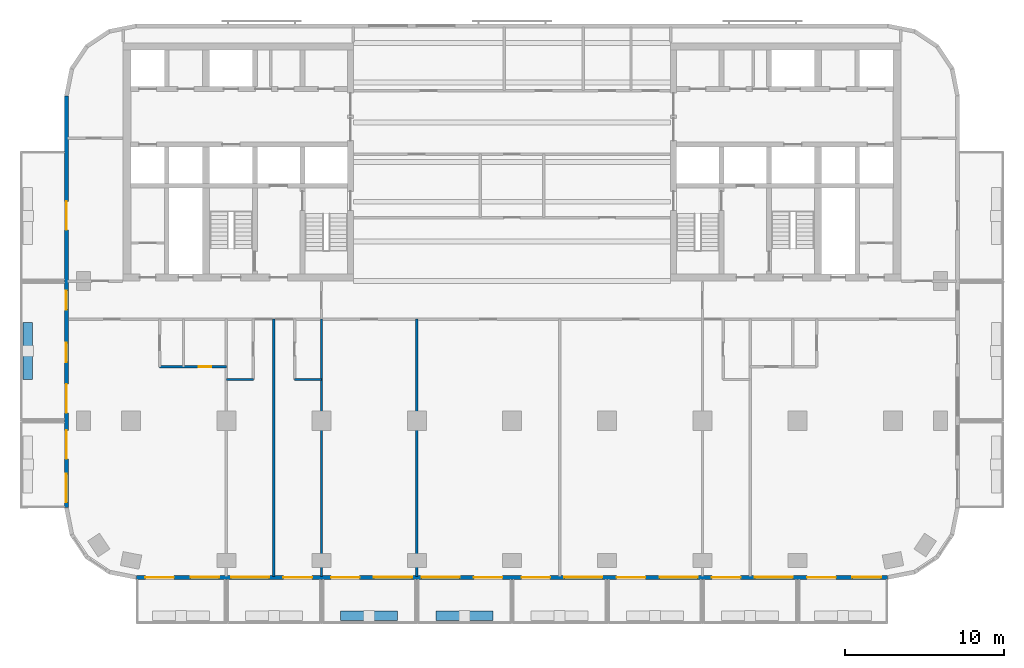
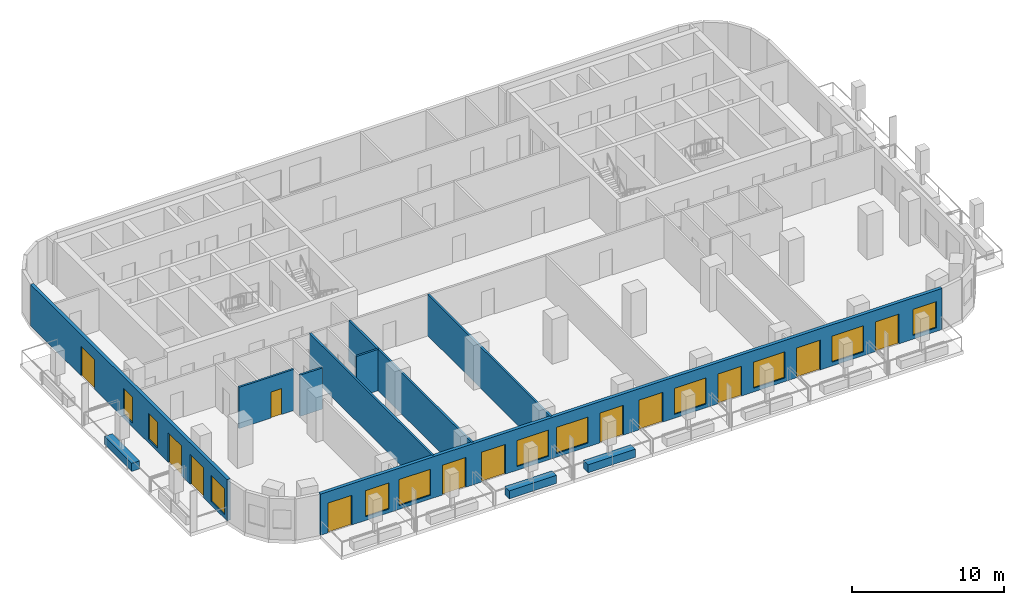
# One storey, part 2 of 11: 12 doors, 11 walls, 11 windows, 23 openings.
"""IFC4 building model written with IfcOpenShell, lengths in metres."""

from ifc_helpers import new_model, si_unit, direction, frame, frame_2d, origin, place, context, subcontext, project, spatial, rectangle, extrude, material, layer, layer_set, type_object, element, fill, save


model = new_model("IFC4")

# Units and contexts
model_context = context("Model", 3, precision=1e-05, world=origin(), true_north=direction((0.0, 1.0)))
body_context = subcontext(model_context, "Body", "Model", "MODEL_VIEW")
ifc_project = project(units=[si_unit("LENGTHUNIT", "METRE"), si_unit("AREAUNIT", "SQUARE_METRE"), si_unit("VOLUMEUNIT", "CUBIC_METRE"), si_unit("PLANEANGLEUNIT", "RADIAN"), si_unit("MASSUNIT", "GRAM", prefix="KILO")], contexts=[model_context])

# Site, building, storey
site_placement = place(None, origin())
site = spatial("IfcSite", under=ifc_project, at=site_placement, CompositionType="ELEMENT")
building_placement = place(site_placement, origin())
building = spatial("IfcBuilding", under=site, at=building_placement, Name="Torana Hotel and Residences", CompositionType="ELEMENT")
storey_placement = place(building_placement, frame((0.0, 0.0, 138.0)))
storey = spatial("IfcBuildingStorey", under=building, at=storey_placement, Name="L35", CompositionType="ELEMENT", Elevation=138.0)

# Wall, openings, doors, windows
ifc_material_1 = material(Name="Black aluminium composite panel", Category="aluminium")
ifc_layer_1 = layer(ifc_material_1, 0.00390625, Name="Cladding", Category="cladding")
ifc_material_2 = material(Name="Ventilated air cavity")
ifc_layer_2 = layer(ifc_material_2, 0.0400390625, Name="Ventilated cavity", Category="cavity")
ifc_material_3 = material(Name="Mineral wool insulation")
ifc_layer_3 = layer(ifc_material_3, 0.090087890625, Name="Insulation", Category="insulation")
ifc_material_4 = material(Name="Steel S280GD", Category="steel")
ifc_layer_4 = layer(ifc_material_4, 0.092041015625, Name="Steel stud frame", Category="structure")
ifc_material_5 = material(Name="Fire rated plasterboard")
ifc_layer_5 = layer(ifc_material_5, 0.011962890625, Name="Inner board", Category="finish")
ifc_layer_6 = layer(ifc_material_5, 0.011962890625, Name="Second board", Category="finish")
ifc_layer_set_1 = layer_set([ifc_layer_1, ifc_layer_2, ifc_layer_3, ifc_layer_4, ifc_layer_5, ifc_layer_6], Name="EW1 EXTERNAL WALL BLACK METAL CLAD 250")
wall_type_1 = type_object("IfcWallType", Name="EW1 EXTERNAL WALL BLACK METAL CLAD 250", PredefinedType="SOLIDWALL", material=ifc_layer_set_1)
wall_1_placement = place(storey_placement, frame((-28.074951171875, -3.32470703125, 0.0), z_axis=(0.0, 0.0, 1.0), x_axis=(0.0, -1.0, 0.0)))
wall_1 = element("IfcWall", 1, at=wall_1_placement, inside=storey, type_object=wall_type_1, Name="External wall L35 e0.9", PredefinedType="SOLIDWALL", context=body_context, shape_type="SweptSolid", body=[
    extrude(rectangle(XDim=25.95068359375, YDim=0.25, at=frame_2d((12.975341796875, 0.0))), origin(), (0.0, 0.0, 1.0), 3.320068359375),
])
opening_1_placement = place(wall_1_placement, frame((6.650390625, 0.0, 0.0)))
opening_1 = element("IfcOpeningElement", 2, at=opening_1_placement, cuts=wall_1, Name="Opening L35-E12", PredefinedType="OPENING", context=body_context, shape_type="SweptSolid", body=[
    extrude(rectangle(XDim=1.800048828125, YDim=2.39990234375, at=frame_2d((0.89990234375, 1.199951171875))), frame((0.0, 0.135009765625, 0.0), z_axis=(0.0, -1.0, 0.0), x_axis=(1.0, 0.0, 0.0)), (0.0, 0.0, 1.0), 0.27001953125),
])
opening_2_placement = place(wall_1_placement, frame((12.275390625, 0.0, 0.300048828125)))
opening_2 = element("IfcOpeningElement", 3, at=opening_2_placement, cuts=wall_1, Name="Opening W7", PredefinedType="OPENING", context=body_context, shape_type="SweptSolid", body=[
    extrude(rectangle(XDim=1.199951171875, YDim=2.10009765625, at=frame_2d((0.60009765625, 1.050048828125))), frame((0.0, 0.135009765625, 0.0), z_axis=(0.0, -1.0, 0.0), x_axis=(1.0, 0.0, 0.0)), (0.0, 0.0, 1.0), 0.27001953125),
])
opening_3_placement = place(wall_1_placement, frame((15.575439453125, 0.0, 0.300048828125)))
opening_3 = element("IfcOpeningElement", 4, at=opening_3_placement, cuts=wall_1, Name="Opening W7", PredefinedType="OPENING", context=body_context, shape_type="SweptSolid", body=[
    extrude(rectangle(XDim=1.199951171875, YDim=2.10009765625, at=frame_2d((0.60009765625, 1.050048828125))), frame((0.0, 0.135009765625, 0.0), z_axis=(0.0, -1.0, 0.0), x_axis=(1.0, 0.0, 0.0)), (0.0, 0.0, 1.0), 0.27001953125),
])
opening_4_placement = place(wall_1_placement, frame((18.17529296875, 0.0, 0.0)))
opening_4 = element("IfcOpeningElement", 5, at=opening_4_placement, cuts=wall_1, Name="Opening L35-E13", PredefinedType="OPENING", context=body_context, shape_type="SweptSolid", body=[
    extrude(rectangle(XDim=1.800048828125, YDim=2.39990234375, at=frame_2d((0.89990234375, 1.199951171875))), frame((0.0, 0.135009765625, 0.0), z_axis=(0.0, -1.0, 0.0), x_axis=(1.0, 0.0, 0.0)), (0.0, 0.0, 1.0), 0.27001953125),
])
opening_5_placement = place(wall_1_placement, frame((21.075439453125, 0.0, 0.0)))
opening_5 = element("IfcOpeningElement", 6, at=opening_5_placement, cuts=wall_1, Name="Opening L35-E14", PredefinedType="OPENING", context=body_context, shape_type="SweptSolid", body=[
    extrude(rectangle(XDim=1.800048828125, YDim=2.39990234375, at=frame_2d((0.89990234375, 1.199951171875))), frame((0.0, 0.135009765625, 0.0), z_axis=(0.0, -1.0, 0.0), x_axis=(1.0, 0.0, 0.0)), (0.0, 0.0, 1.0), 0.27001953125),
])
opening_6_placement = place(wall_1_placement, frame((23.825439453125, 0.0, 0.300048828125)))
opening_6 = element("IfcOpeningElement", 7, at=opening_6_placement, cuts=wall_1, Name="Opening W2", PredefinedType="OPENING", context=body_context, shape_type="SweptSolid", body=[
    extrude(rectangle(XDim=1.800048828125, YDim=2.10009765625, at=frame_2d((0.89990234375, 1.050048828125))), frame((0.0, 0.135009765625, 0.0), z_axis=(0.0, -1.0, 0.0), x_axis=(1.0, 0.0, 0.0)), (0.0, 0.0, 1.0), 0.27001953125),
])
ifc_material_6 = material(Name="Dark glass in black aluminium frame", Category="aluminium")
door_type_1 = type_object("IfcDoorType", Name="DB1 BALCONY DOOR 1800x2400", OperationType="DOUBLE_DOOR_SINGLE_SWING", PredefinedType="DOOR", material=ifc_material_6)
door_1_placement = place(opening_1_placement, origin())
door_1 = element("IfcDoor", 8, at=door_1_placement, inside=storey, type_object=door_type_1, Name="Balcony door L35", OperationType="DOUBLE_DOOR_SINGLE_SWING", OverallHeight=2.39990234375, OverallWidth=1.800048828125, PredefinedType="DOOR", context=body_context, shape_type="SweptSolid", body=[
    extrude(rectangle(XDim=1.800048828125, YDim=2.39990234375, at=frame_2d((0.89990234375, 1.199951171875))), frame((0.0, 0.02490234375, 0.0), z_axis=(0.0, -1.0, 0.0), x_axis=(1.0, 0.0, 0.0)), (0.0, 0.0, 1.0), 0.050048828125),
])
fill(opening_1, door_1)
door_2_placement = place(opening_4_placement, frame((0.89990234375, 0.0, 0.0), z_axis=(0.0, 0.0, 1.0), x_axis=(-1.0, 0.0, 0.0)))
door_2 = element("IfcDoor", 9, at=door_2_placement, inside=storey, type_object=door_type_1, Name="Balcony door L35", OperationType="DOUBLE_DOOR_SINGLE_SWING", OverallHeight=2.39990234375, OverallWidth=1.800048828125, PredefinedType="DOOR", context=body_context, shape_type="SweptSolid", body=[
    extrude(rectangle(XDim=1.800048828125, YDim=2.39990234375, at=frame_2d((0.0, 1.199951171875))), frame((0.0, -0.02490234375, 0.0), z_axis=(0.0, 1.0, 0.0), x_axis=(-1.0, 0.0, 0.0)), (0.0, 0.0, 1.0), 0.050048828125),
])
fill(opening_4, door_2)
door_3_placement = place(opening_5_placement, origin())
door_3 = element("IfcDoor", 10, at=door_3_placement, inside=storey, type_object=door_type_1, Name="Balcony door L35", OperationType="DOUBLE_DOOR_SINGLE_SWING", OverallHeight=2.39990234375, OverallWidth=1.800048828125, PredefinedType="DOOR", context=body_context, shape_type="SweptSolid", body=[
    extrude(rectangle(XDim=1.800048828125, YDim=2.39990234375, at=frame_2d((0.89990234375, 1.199951171875))), frame((0.0, 0.02490234375, 0.0), z_axis=(0.0, -1.0, 0.0), x_axis=(1.0, 0.0, 0.0)), (0.0, 0.0, 1.0), 0.050048828125),
])
fill(opening_5, door_3)
ifc_material_7 = material(Name="Dark glass in black aluminium frame", Category="aluminium")
window_type_1 = type_object("IfcWindowType", Name="W2 HOTEL ROOM WINDOW NARROW 1800x2100", PartitioningType="SINGLE_PANEL", PredefinedType="WINDOW", material=ifc_material_7)
window_1_placement = place(opening_6_placement, origin())
window_1 = element("IfcWindow", 11, at=window_1_placement, inside=storey, type_object=window_type_1, Name="Window L35", OverallHeight=2.10009765625, OverallWidth=1.800048828125, PartitioningType="SINGLE_PANEL", PredefinedType="WINDOW", context=body_context, shape_type="SweptSolid", body=[
    extrude(rectangle(XDim=1.800048828125, YDim=2.10009765625, at=frame_2d((0.89990234375, 1.050048828125))), frame((0.0, 0.030029296875, 0.0), z_axis=(0.0, -1.0, 0.0), x_axis=(1.0, 0.0, 0.0)), (0.0, 0.0, 1.0), 0.06005859375),
])
fill(opening_6, window_1)
ifc_material_8 = material(Name="Dark glass in black aluminium frame", Category="aluminium")
window_type_2 = type_object("IfcWindowType", Name="W7 HOTEL CORRIDOR WINDOW 1200x2100", PartitioningType="SINGLE_PANEL", PredefinedType="WINDOW", material=ifc_material_8)
window_2_placement = place(opening_2_placement, origin())
window_2 = element("IfcWindow", 12, at=window_2_placement, inside=storey, type_object=window_type_2, Name="Window L35", OverallHeight=2.10009765625, OverallWidth=1.199951171875, PartitioningType="SINGLE_PANEL", PredefinedType="WINDOW", context=body_context, shape_type="SweptSolid", body=[
    extrude(rectangle(XDim=1.199951171875, YDim=2.10009765625, at=frame_2d((0.60009765625, 1.050048828125))), frame((0.0, 0.030029296875, 0.0), z_axis=(0.0, -1.0, 0.0), x_axis=(1.0, 0.0, 0.0)), (0.0, 0.0, 1.0), 0.06005859375),
])
fill(opening_2, window_2)
window_3_placement = place(opening_3_placement, origin())
window_3 = element("IfcWindow", 13, at=window_3_placement, inside=storey, type_object=window_type_2, Name="Window L35", OverallHeight=2.10009765625, OverallWidth=1.199951171875, PartitioningType="SINGLE_PANEL", PredefinedType="WINDOW", context=body_context, shape_type="SweptSolid", body=[
    extrude(rectangle(XDim=1.199951171875, YDim=2.10009765625, at=frame_2d((0.60009765625, 1.050048828125))), frame((0.0, 0.030029296875, 0.0), z_axis=(0.0, -1.0, 0.0), x_axis=(1.0, 0.0, 0.0)), (0.0, 0.0, 1.0), 0.06005859375),
])
fill(opening_3, window_3)

wall_2_placement = place(storey_placement, frame((-23.67529296875, -33.675048828125, 0.0), z_axis=(0.0, 0.0, 1.0), x_axis=(1.0, 0.0, 0.0)))
wall_2 = element("IfcWall", 14, at=wall_2_placement, inside=storey, type_object=wall_type_1, Name="External wall L35 e0.14", PredefinedType="SOLIDWALL", context=body_context, shape_type="SweptSolid", body=[
    extrude(rectangle(XDim=47.3505859375, YDim=0.25, at=frame_2d((23.67529296875, 0.0))), origin(), (0.0, 0.0, 1.0), 3.320068359375),
])
opening_7_placement = place(wall_2_placement, frame((0.575439453125, 0.0, 0.0)))
opening_7 = element("IfcOpeningElement", 15, at=opening_7_placement, cuts=wall_2, Name="Opening L35-E01", PredefinedType="OPENING", context=body_context, shape_type="SweptSolid", body=[
    extrude(rectangle(XDim=1.800048828125, YDim=2.39990234375, at=frame_2d((0.89990234375, 1.199951171875))), frame((0.0, 0.135009765625, 0.0), z_axis=(0.0, -1.0, 0.0), x_axis=(1.0, 0.0, 0.0)), (0.0, 0.0, 1.0), 0.27001953125),
])
opening_8_placement = place(wall_2_placement, frame((3.42529296875, 0.0, 0.300048828125)))
opening_8 = element("IfcOpeningElement", 16, at=opening_8_placement, cuts=wall_2, Name="Opening W2", PredefinedType="OPENING", context=body_context, shape_type="SweptSolid", body=[
    extrude(rectangle(XDim=1.800048828125, YDim=2.10009765625, at=frame_2d((0.89990234375, 1.050048828125))), frame((0.0, 0.135009765625, 0.0), z_axis=(0.0, -1.0, 0.0), x_axis=(1.0, 0.0, 0.0)), (0.0, 0.0, 1.0), 0.27001953125),
])
opening_9_placement = place(wall_2_placement, frame((5.975341796875, 0.0, 0.300048828125)))
opening_9 = element("IfcOpeningElement", 17, at=opening_9_placement, cuts=wall_2, Name="Opening W1", PredefinedType="OPENING", context=body_context, shape_type="SweptSolid", body=[
    extrude(rectangle(XDim=2.39990234375, YDim=2.10009765625, at=frame_2d((1.199951171875, 1.050048828125))), frame((0.0, 0.135009765625, 0.0), z_axis=(0.0, -1.0, 0.0), x_axis=(1.0, 0.0, 0.0)), (0.0, 0.0, 1.0), 0.27001953125),
])
opening_10_placement = place(wall_2_placement, frame((9.275390625, 0.0, 0.0)))
opening_10 = element("IfcOpeningElement", 18, at=opening_10_placement, cuts=wall_2, Name="Opening L35-E02", PredefinedType="OPENING", context=body_context, shape_type="SweptSolid", body=[
    extrude(rectangle(XDim=1.800048828125, YDim=2.39990234375, at=frame_2d((0.89990234375, 1.199951171875))), frame((0.0, 0.135009765625, 0.0), z_axis=(0.0, -1.0, 0.0), x_axis=(1.0, 0.0, 0.0)), (0.0, 0.0, 1.0), 0.27001953125),
])
opening_11_placement = place(wall_2_placement, frame((12.275390625, 0.0, 0.0)))
opening_11 = element("IfcOpeningElement", 19, at=opening_11_placement, cuts=wall_2, Name="Opening L35-E03", PredefinedType="OPENING", context=body_context, shape_type="SweptSolid", body=[
    extrude(rectangle(XDim=1.800048828125, YDim=2.39990234375, at=frame_2d((0.89990234375, 1.199951171875))), frame((0.0, 0.135009765625, 0.0), z_axis=(0.0, -1.0, 0.0), x_axis=(1.0, 0.0, 0.0)), (0.0, 0.0, 1.0), 0.27001953125),
])
opening_12_placement = place(wall_2_placement, frame((14.975341796875, 0.0, 0.300048828125)))
opening_12 = element("IfcOpeningElement", 20, at=opening_12_placement, cuts=wall_2, Name="Opening W1", PredefinedType="OPENING", context=body_context, shape_type="SweptSolid", body=[
    extrude(rectangle(XDim=2.39990234375, YDim=2.10009765625, at=frame_2d((1.199951171875, 1.050048828125))), frame((0.0, 0.135009765625, 0.0), z_axis=(0.0, -1.0, 0.0), x_axis=(1.0, 0.0, 0.0)), (0.0, 0.0, 1.0), 0.27001953125),
])
opening_13_placement = place(wall_2_placement, frame((17.975341796875, 0.0, 0.300048828125)))
opening_13 = element("IfcOpeningElement", 21, at=opening_13_placement, cuts=wall_2, Name="Opening W1", PredefinedType="OPENING", context=body_context, shape_type="SweptSolid", body=[
    extrude(rectangle(XDim=2.39990234375, YDim=2.10009765625, at=frame_2d((1.199951171875, 1.050048828125))), frame((0.0, 0.135009765625, 0.0), z_axis=(0.0, -1.0, 0.0), x_axis=(1.0, 0.0, 0.0)), (0.0, 0.0, 1.0), 0.27001953125),
])
opening_14_placement = place(wall_2_placement, frame((21.275390625, 0.0, 0.0)))
opening_14 = element("IfcOpeningElement", 22, at=opening_14_placement, cuts=wall_2, Name="Opening L35-E04", PredefinedType="OPENING", context=body_context, shape_type="SweptSolid", body=[
    extrude(rectangle(XDim=1.800048828125, YDim=2.39990234375, at=frame_2d((0.89990234375, 1.199951171875))), frame((0.0, 0.135009765625, 0.0), z_axis=(0.0, -1.0, 0.0), x_axis=(1.0, 0.0, 0.0)), (0.0, 0.0, 1.0), 0.27001953125),
])
opening_15_placement = place(wall_2_placement, frame((24.275390625, 0.0, 0.0)))
opening_15 = element("IfcOpeningElement", 23, at=opening_15_placement, cuts=wall_2, Name="Opening L35-E05", PredefinedType="OPENING", context=body_context, shape_type="SweptSolid", body=[
    extrude(rectangle(XDim=1.800048828125, YDim=2.39990234375, at=frame_2d((0.89990234375, 1.199951171875))), frame((0.0, 0.135009765625, 0.0), z_axis=(0.0, -1.0, 0.0), x_axis=(1.0, 0.0, 0.0)), (0.0, 0.0, 1.0), 0.27001953125),
])
opening_16_placement = place(wall_2_placement, frame((26.975341796875, 0.0, 0.300048828125)))
opening_16 = element("IfcOpeningElement", 24, at=opening_16_placement, cuts=wall_2, Name="Opening W1", PredefinedType="OPENING", context=body_context, shape_type="SweptSolid", body=[
    extrude(rectangle(XDim=2.39990234375, YDim=2.10009765625, at=frame_2d((1.199951171875, 1.050048828125))), frame((0.0, 0.135009765625, 0.0), z_axis=(0.0, -1.0, 0.0), x_axis=(1.0, 0.0, 0.0)), (0.0, 0.0, 1.0), 0.27001953125),
])
opening_17_placement = place(wall_2_placement, frame((30.275390625, 0.0, 0.0)))
opening_17 = element("IfcOpeningElement", 25, at=opening_17_placement, cuts=wall_2, Name="Opening L35-E06", PredefinedType="OPENING", context=body_context, shape_type="SweptSolid", body=[
    extrude(rectangle(XDim=1.800048828125, YDim=2.39990234375, at=frame_2d((0.89990234375, 1.199951171875))), frame((0.0, 0.135009765625, 0.0), z_axis=(0.0, -1.0, 0.0), x_axis=(1.0, 0.0, 0.0)), (0.0, 0.0, 1.0), 0.27001953125),
])
opening_18_placement = place(wall_2_placement, frame((32.975341796875, 0.0, 0.300048828125)))
opening_18 = element("IfcOpeningElement", 26, at=opening_18_placement, cuts=wall_2, Name="Opening W1", PredefinedType="OPENING", context=body_context, shape_type="SweptSolid", body=[
    extrude(rectangle(XDim=2.39990234375, YDim=2.10009765625, at=frame_2d((1.199951171875, 1.050048828125))), frame((0.0, 0.135009765625, 0.0), z_axis=(0.0, -1.0, 0.0), x_axis=(1.0, 0.0, 0.0)), (0.0, 0.0, 1.0), 0.27001953125),
])
opening_19_placement = place(wall_2_placement, frame((36.275390625, 0.0, 0.0)))
opening_19 = element("IfcOpeningElement", 27, at=opening_19_placement, cuts=wall_2, Name="Opening L35-E07", PredefinedType="OPENING", context=body_context, shape_type="SweptSolid", body=[
    extrude(rectangle(XDim=1.800048828125, YDim=2.39990234375, at=frame_2d((0.89990234375, 1.199951171875))), frame((0.0, 0.135009765625, 0.0), z_axis=(0.0, -1.0, 0.0), x_axis=(1.0, 0.0, 0.0)), (0.0, 0.0, 1.0), 0.27001953125),
])
opening_20_placement = place(wall_2_placement, frame((38.975341796875, 0.0, 0.300048828125)))
opening_20 = element("IfcOpeningElement", 28, at=opening_20_placement, cuts=wall_2, Name="Opening W1", PredefinedType="OPENING", context=body_context, shape_type="SweptSolid", body=[
    extrude(rectangle(XDim=2.39990234375, YDim=2.10009765625, at=frame_2d((1.199951171875, 1.050048828125))), frame((0.0, 0.135009765625, 0.0), z_axis=(0.0, -1.0, 0.0), x_axis=(1.0, 0.0, 0.0)), (0.0, 0.0, 1.0), 0.27001953125),
])
opening_21_placement = place(wall_2_placement, frame((42.275390625, 0.0, 0.0)))
opening_21 = element("IfcOpeningElement", 29, at=opening_21_placement, cuts=wall_2, Name="Opening L35-E08", PredefinedType="OPENING", context=body_context, shape_type="SweptSolid", body=[
    extrude(rectangle(XDim=1.800048828125, YDim=2.39990234375, at=frame_2d((0.89990234375, 1.199951171875))), frame((0.0, 0.135009765625, 0.0), z_axis=(0.0, -1.0, 0.0), x_axis=(1.0, 0.0, 0.0)), (0.0, 0.0, 1.0), 0.27001953125),
])
opening_22_placement = place(wall_2_placement, frame((45.12548828125, 0.0, 0.300048828125)))
opening_22 = element("IfcOpeningElement", 30, at=opening_22_placement, cuts=wall_2, Name="Opening W2", PredefinedType="OPENING", context=body_context, shape_type="SweptSolid", body=[
    extrude(rectangle(XDim=1.800048828125, YDim=2.10009765625, at=frame_2d((0.89990234375, 1.050048828125))), frame((0.0, 0.135009765625, 0.0), z_axis=(0.0, -1.0, 0.0), x_axis=(1.0, 0.0, 0.0)), (0.0, 0.0, 1.0), 0.27001953125),
])
door_4_placement = place(opening_7_placement, origin())
door_4 = element("IfcDoor", 31, at=door_4_placement, inside=storey, type_object=door_type_1, Name="Balcony door L35", OperationType="DOUBLE_DOOR_SINGLE_SWING", OverallHeight=2.39990234375, OverallWidth=1.800048828125, PredefinedType="DOOR", context=body_context, shape_type="SweptSolid", body=[
    extrude(rectangle(XDim=1.800048828125, YDim=2.39990234375, at=frame_2d((0.89990234375, 1.199951171875))), frame((0.0, 0.02490234375, 0.0), z_axis=(0.0, -1.0, 0.0), x_axis=(1.0, 0.0, 0.0)), (0.0, 0.0, 1.0), 0.050048828125),
])
fill(opening_7, door_4)
door_5_placement = place(opening_10_placement, origin())
door_5 = element("IfcDoor", 32, at=door_5_placement, inside=storey, type_object=door_type_1, Name="Balcony door L35", OperationType="DOUBLE_DOOR_SINGLE_SWING", OverallHeight=2.39990234375, OverallWidth=1.800048828125, PredefinedType="DOOR", context=body_context, shape_type="SweptSolid", body=[
    extrude(rectangle(XDim=1.800048828125, YDim=2.39990234375, at=frame_2d((0.89990234375, 1.199951171875))), frame((0.0, 0.02490234375, 0.0), z_axis=(0.0, -1.0, 0.0), x_axis=(1.0, 0.0, 0.0)), (0.0, 0.0, 1.0), 0.050048828125),
])
fill(opening_10, door_5)
door_6_placement = place(opening_11_placement, origin())
door_6 = element("IfcDoor", 33, at=door_6_placement, inside=storey, type_object=door_type_1, Name="Balcony door L35", OperationType="DOUBLE_DOOR_SINGLE_SWING", OverallHeight=2.39990234375, OverallWidth=1.800048828125, PredefinedType="DOOR", context=body_context, shape_type="SweptSolid", body=[
    extrude(rectangle(XDim=1.800048828125, YDim=2.39990234375, at=frame_2d((0.89990234375, 1.199951171875))), frame((0.0, 0.02490234375, 0.0), z_axis=(0.0, -1.0, 0.0), x_axis=(1.0, 0.0, 0.0)), (0.0, 0.0, 1.0), 0.050048828125),
])
fill(opening_11, door_6)
door_7_placement = place(opening_14_placement, origin())
door_7 = element("IfcDoor", 34, at=door_7_placement, inside=storey, type_object=door_type_1, Name="Balcony door L35", OperationType="DOUBLE_DOOR_SINGLE_SWING", OverallHeight=2.39990234375, OverallWidth=1.800048828125, PredefinedType="DOOR", context=body_context, shape_type="SweptSolid", body=[
    extrude(rectangle(XDim=1.800048828125, YDim=2.39990234375, at=frame_2d((0.89990234375, 1.199951171875))), frame((0.0, 0.02490234375, 0.0), z_axis=(0.0, -1.0, 0.0), x_axis=(1.0, 0.0, 0.0)), (0.0, 0.0, 1.0), 0.050048828125),
])
fill(opening_14, door_7)
door_8_placement = place(opening_15_placement, origin())
door_8 = element("IfcDoor", 35, at=door_8_placement, inside=storey, type_object=door_type_1, Name="Balcony door L35", OperationType="DOUBLE_DOOR_SINGLE_SWING", OverallHeight=2.39990234375, OverallWidth=1.800048828125, PredefinedType="DOOR", context=body_context, shape_type="SweptSolid", body=[
    extrude(rectangle(XDim=1.800048828125, YDim=2.39990234375, at=frame_2d((0.89990234375, 1.199951171875))), frame((0.0, 0.02490234375, 0.0), z_axis=(0.0, -1.0, 0.0), x_axis=(1.0, 0.0, 0.0)), (0.0, 0.0, 1.0), 0.050048828125),
])
fill(opening_15, door_8)
door_9_placement = place(opening_17_placement, origin())
door_9 = element("IfcDoor", 36, at=door_9_placement, inside=storey, type_object=door_type_1, Name="Balcony door L35", OperationType="DOUBLE_DOOR_SINGLE_SWING", OverallHeight=2.39990234375, OverallWidth=1.800048828125, PredefinedType="DOOR", context=body_context, shape_type="SweptSolid", body=[
    extrude(rectangle(XDim=1.800048828125, YDim=2.39990234375, at=frame_2d((0.89990234375, 1.199951171875))), frame((0.0, 0.02490234375, 0.0), z_axis=(0.0, -1.0, 0.0), x_axis=(1.0, 0.0, 0.0)), (0.0, 0.0, 1.0), 0.050048828125),
])
fill(opening_17, door_9)
door_10_placement = place(opening_19_placement, origin())
door_10 = element("IfcDoor", 37, at=door_10_placement, inside=storey, type_object=door_type_1, Name="Balcony door L35", OperationType="DOUBLE_DOOR_SINGLE_SWING", OverallHeight=2.39990234375, OverallWidth=1.800048828125, PredefinedType="DOOR", context=body_context, shape_type="SweptSolid", body=[
    extrude(rectangle(XDim=1.800048828125, YDim=2.39990234375, at=frame_2d((0.89990234375, 1.199951171875))), frame((0.0, 0.02490234375, 0.0), z_axis=(0.0, -1.0, 0.0), x_axis=(1.0, 0.0, 0.0)), (0.0, 0.0, 1.0), 0.050048828125),
])
fill(opening_19, door_10)
door_11_placement = place(opening_21_placement, origin())
door_11 = element("IfcDoor", 38, at=door_11_placement, inside=storey, type_object=door_type_1, Name="Balcony door L35", OperationType="DOUBLE_DOOR_SINGLE_SWING", OverallHeight=2.39990234375, OverallWidth=1.800048828125, PredefinedType="DOOR", context=body_context, shape_type="SweptSolid", body=[
    extrude(rectangle(XDim=1.800048828125, YDim=2.39990234375, at=frame_2d((0.89990234375, 1.199951171875))), frame((0.0, 0.02490234375, 0.0), z_axis=(0.0, -1.0, 0.0), x_axis=(1.0, 0.0, 0.0)), (0.0, 0.0, 1.0), 0.050048828125),
])
fill(opening_21, door_11)
ifc_material_9 = material(Name="Dark glass in black aluminium frame", Category="aluminium")
window_type_3 = type_object("IfcWindowType", Name="W1 HOTEL ROOM WINDOW 2400x2100", PartitioningType="SINGLE_PANEL", PredefinedType="WINDOW", material=ifc_material_9)
window_4_placement = place(opening_9_placement, origin())
window_4 = element("IfcWindow", 39, at=window_4_placement, inside=storey, type_object=window_type_3, Name="Window L35", OverallHeight=2.10009765625, OverallWidth=2.39990234375, PartitioningType="SINGLE_PANEL", PredefinedType="WINDOW", context=body_context, shape_type="SweptSolid", body=[
    extrude(rectangle(XDim=2.39990234375, YDim=2.10009765625, at=frame_2d((1.199951171875, 1.050048828125))), frame((0.0, 0.030029296875, 0.0), z_axis=(0.0, -1.0, 0.0), x_axis=(1.0, 0.0, 0.0)), (0.0, 0.0, 1.0), 0.06005859375),
])
fill(opening_9, window_4)
window_5_placement = place(opening_12_placement, origin())
window_5 = element("IfcWindow", 40, at=window_5_placement, inside=storey, type_object=window_type_3, Name="Window L35", OverallHeight=2.10009765625, OverallWidth=2.39990234375, PartitioningType="SINGLE_PANEL", PredefinedType="WINDOW", context=body_context, shape_type="SweptSolid", body=[
    extrude(rectangle(XDim=2.39990234375, YDim=2.10009765625, at=frame_2d((1.199951171875, 1.050048828125))), frame((0.0, 0.030029296875, 0.0), z_axis=(0.0, -1.0, 0.0), x_axis=(1.0, 0.0, 0.0)), (0.0, 0.0, 1.0), 0.06005859375),
])
fill(opening_12, window_5)
window_6_placement = place(opening_13_placement, origin())
window_6 = element("IfcWindow", 41, at=window_6_placement, inside=storey, type_object=window_type_3, Name="Window L35", OverallHeight=2.10009765625, OverallWidth=2.39990234375, PartitioningType="SINGLE_PANEL", PredefinedType="WINDOW", context=body_context, shape_type="SweptSolid", body=[
    extrude(rectangle(XDim=2.39990234375, YDim=2.10009765625, at=frame_2d((1.199951171875, 1.050048828125))), frame((0.0, 0.030029296875, 0.0), z_axis=(0.0, -1.0, 0.0), x_axis=(1.0, 0.0, 0.0)), (0.0, 0.0, 1.0), 0.06005859375),
])
fill(opening_13, window_6)
window_7_placement = place(opening_16_placement, origin())
window_7 = element("IfcWindow", 42, at=window_7_placement, inside=storey, type_object=window_type_3, Name="Window L35", OverallHeight=2.10009765625, OverallWidth=2.39990234375, PartitioningType="SINGLE_PANEL", PredefinedType="WINDOW", context=body_context, shape_type="SweptSolid", body=[
    extrude(rectangle(XDim=2.39990234375, YDim=2.10009765625, at=frame_2d((1.199951171875, 1.050048828125))), frame((0.0, 0.030029296875, 0.0), z_axis=(0.0, -1.0, 0.0), x_axis=(1.0, 0.0, 0.0)), (0.0, 0.0, 1.0), 0.06005859375),
])
fill(opening_16, window_7)
window_8_placement = place(opening_18_placement, origin())
window_8 = element("IfcWindow", 43, at=window_8_placement, inside=storey, type_object=window_type_3, Name="Window L35", OverallHeight=2.10009765625, OverallWidth=2.39990234375, PartitioningType="SINGLE_PANEL", PredefinedType="WINDOW", context=body_context, shape_type="SweptSolid", body=[
    extrude(rectangle(XDim=2.39990234375, YDim=2.10009765625, at=frame_2d((1.199951171875, 1.050048828125))), frame((0.0, 0.030029296875, 0.0), z_axis=(0.0, -1.0, 0.0), x_axis=(1.0, 0.0, 0.0)), (0.0, 0.0, 1.0), 0.06005859375),
])
fill(opening_18, window_8)
window_9_placement = place(opening_20_placement, origin())
window_9 = element("IfcWindow", 44, at=window_9_placement, inside=storey, type_object=window_type_3, Name="Window L35", OverallHeight=2.10009765625, OverallWidth=2.39990234375, PartitioningType="SINGLE_PANEL", PredefinedType="WINDOW", context=body_context, shape_type="SweptSolid", body=[
    extrude(rectangle(XDim=2.39990234375, YDim=2.10009765625, at=frame_2d((1.199951171875, 1.050048828125))), frame((0.0, 0.030029296875, 0.0), z_axis=(0.0, -1.0, 0.0), x_axis=(1.0, 0.0, 0.0)), (0.0, 0.0, 1.0), 0.06005859375),
])
fill(opening_20, window_9)
window_10_placement = place(opening_8_placement, origin())
window_10 = element("IfcWindow", 45, at=window_10_placement, inside=storey, type_object=window_type_1, Name="Window L35", OverallHeight=2.10009765625, OverallWidth=1.800048828125, PartitioningType="SINGLE_PANEL", PredefinedType="WINDOW", context=body_context, shape_type="SweptSolid", body=[
    extrude(rectangle(XDim=1.800048828125, YDim=2.10009765625, at=frame_2d((0.89990234375, 1.050048828125))), frame((0.0, 0.030029296875, 0.0), z_axis=(0.0, -1.0, 0.0), x_axis=(1.0, 0.0, 0.0)), (0.0, 0.0, 1.0), 0.06005859375),
])
fill(opening_8, window_10)
window_11_placement = place(opening_22_placement, origin())
window_11 = element("IfcWindow", 46, at=window_11_placement, inside=storey, type_object=window_type_1, Name="Window L35", OverallHeight=2.10009765625, OverallWidth=1.800048828125, PartitioningType="SINGLE_PANEL", PredefinedType="WINDOW", context=body_context, shape_type="SweptSolid", body=[
    extrude(rectangle(XDim=1.800048828125, YDim=2.10009765625, at=frame_2d((0.89990234375, 1.050048828125))), frame((0.0, 0.030029296875, 0.0), z_axis=(0.0, -1.0, 0.0), x_axis=(1.0, 0.0, 0.0)), (0.0, 0.0, 1.0), 0.06005859375),
])
fill(opening_22, window_11)

# Walls
ifc_material_10 = material(Name="Gypsum plasterboard")
ifc_layer_7 = layer(ifc_material_10, 0.012451171875, Name="Plasterboard", Category="finish")
ifc_layer_8 = layer(ifc_material_10, 0.012451171875, Name="Plasterboard", Category="finish")
ifc_layer_9 = layer(ifc_material_4, 0.10009765625, Name="Steel studs with mineral wool", Category="insulation")
ifc_layer_10 = layer(ifc_material_10, 0.012451171875, Name="Plasterboard", Category="finish")
ifc_layer_11 = layer(ifc_material_10, 0.012451171875, Name="Plasterboard", Category="finish")
ifc_layer_set_2 = layer_set([ifc_layer_7, ifc_layer_8, ifc_layer_9, ifc_layer_10, ifc_layer_11], Name="PARTITION 150 PLASTERBOARD")
wall_type_2 = type_object("IfcWallType", Name="PARTITION 150 PLASTERBOARD", PredefinedType="PARTITIONING", material=ifc_layer_set_2)
for number, where, z_axis, x_axis, name in (
    (47, (-6.0, -33.6201171875, 0.0), (0.0, 0.0, 1.0), (0.0, 1.0, 0.0), "Partition L35"),
    (48, (-12.0, -33.6201171875, 0.0), (0.0, 0.0, 1.0), (0.0, 1.0, 0.0), "Partition L35"),
    (49, (-15.0, -33.6201171875, 0.0), (0.0, 0.0, 1.0), (0.0, 1.0, 0.0), "Partition L35"),
):
    element("IfcWall", number, at=place(storey_placement, frame(where, z_axis=z_axis, x_axis=x_axis)), inside=storey, type_object=wall_type_2, Name=name, PredefinedType="PARTITIONING", context=body_context, shape_type="SweptSolid", body=[
        extrude(rectangle(XDim=16.22021484375, YDim=0.14990234375, at=frame_2d((8.110107421875, 0.0))), origin(), (0.0, 0.0, 1.0), 3.320068359375),
    ])
for number, where, z_axis, x_axis, name in (
    (50, (-18.0, -21.199951171875, 0.0), (0.0, 0.0, 1.0), (1.0, 0.0, 0.0), "Partition L35"),
    (51, (-13.699951171875, -21.199951171875, 0.0), (0.0, 0.0, 1.0), (1.0, 0.0, 0.0), "Partition L35"),
):
    element("IfcWall", number, at=place(storey_placement, frame(where, z_axis=z_axis, x_axis=x_axis)), inside=storey, type_object=wall_type_2, Name=name, PredefinedType="PARTITIONING", context=body_context, shape_type="SweptSolid", body=[
        extrude(rectangle(XDim=1.699951171875, YDim=0.14990234375, at=frame_2d((0.85009765625, 0.0))), origin(), (0.0, 0.0, 1.0), 3.320068359375),
    ])

# Wall, opening, door
wall_3_placement = place(storey_placement, frame((-22.199951171875, -20.39990234375, 0.0), z_axis=(0.0, 0.0, 1.0), x_axis=(1.0, 0.0, 0.0)))
wall_3 = element("IfcWall", 52, at=wall_3_placement, inside=storey, type_object=wall_type_2, Name="Partition L35", PredefinedType="PARTITIONING", context=body_context, shape_type="SweptSolid", body=[
    extrude(rectangle(XDim=4.199951171875, YDim=0.14990234375, at=frame_2d((2.10009765625, 0.0))), origin(), (0.0, 0.0, 1.0), 3.320068359375),
])
opening_23_placement = place(wall_3_placement, frame((2.449951171875, 0.0, 0.0)))
opening_23 = element("IfcOpeningElement", 53, at=opening_23_placement, cuts=wall_3, Name="Opening L35-54", PredefinedType="OPENING", context=body_context, shape_type="SweptSolid", body=[
    extrude(rectangle(XDim=0.800048828125, YDim=2.10009765625, at=frame_2d((0.39990234375, 1.050048828125))), frame((0.0, 0.0849609375, 0.0), z_axis=(0.0, -1.0, 0.0), x_axis=(1.0, 0.0, 0.0)), (0.0, 0.0, 1.0), 0.169921875),
])
ifc_material_11 = material(Name="Timber door, painted", Category="wood")
door_type_2 = type_object("IfcDoorType", Name="BATH DOOR D13 800x2100", OperationType="SINGLE_SWING_LEFT", PredefinedType="DOOR", material=ifc_material_11)
door_12_placement = place(opening_23_placement, origin())
door_12 = element("IfcDoor", 54, at=door_12_placement, inside=storey, type_object=door_type_2, Name="Door L35", OperationType="SINGLE_SWING_RIGHT", OverallHeight=2.10009765625, OverallWidth=0.800048828125, PredefinedType="DOOR", context=body_context, shape_type="SweptSolid", body=[
    extrude(rectangle(XDim=0.800048828125, YDim=2.10009765625, at=frame_2d((0.39990234375, 1.050048828125))), frame((0.0, 0.02490234375, 0.0), z_axis=(0.0, -1.0, 0.0), x_axis=(1.0, 0.0, 0.0)), (0.0, 0.0, 1.0), 0.050048828125),
])
fill(opening_23, door_12)

# Walls
ifc_material_12 = material(Name="Concrete C40/50 precast", Category="concrete")
ifc_layer_12 = layer(ifc_material_12, 0.10009765625, Name="Planter shell", Category="structure")
ifc_material_13 = material(Name="Root resistant membrane")
ifc_layer_13 = layer(ifc_material_13, 0.00390625, Name="Waterproofing membrane", Category="membrane")
ifc_material_14 = material(Name="Drainage board with filter fleece")
ifc_layer_14 = layer(ifc_material_14, 0.02001953125, Name="Drainage board", Category="drainage")
ifc_material_15 = material(Name="Growing medium")
ifc_layer_15 = layer(ifc_material_15, 0.47607421875, Name="Planting substrate", Category="soil")
ifc_layer_set_3 = layer_set([ifc_layer_12, ifc_layer_13, ifc_layer_14, ifc_layer_15], Name="PL1 BALCONY PLANTER 600")
wall_type_3 = type_object("IfcWallType", Name="PL1 BALCONY PLANTER 600", PredefinedType="USERDEFINED", material=ifc_layer_set_3)
for number, where, z_axis, x_axis, name in (
    (55, (-7.199951171875, -36.10009765625, 0.0), (0.0, 0.0, 1.0), (-1.0, 0.0, 0.0), "Planter 03"),
    (56, (-1.199951171875, -36.10009765625, 0.0), (0.0, 0.0, 1.0), (-1.0, 0.0, 0.0), "Planter 04"),
):
    element("IfcWall", number, at=place(storey_placement, frame(where, z_axis=z_axis, x_axis=x_axis)), inside=storey, type_object=wall_type_3, Name=name, ObjectType="PLANTER", PredefinedType="USERDEFINED", context=body_context, shape_type="SweptSolid", body=[
        extrude(rectangle(XDim=3.60009765625, YDim=0.60009765625, at=frame_2d((1.800048828125, 0.0))), origin(), (0.0, 0.0, 1.0), 0.64990234375),
    ])
wall_4_placement = place(storey_placement, frame((-30.5, -21.199951171875, 0.0), z_axis=(0.0, 0.0, 1.0), x_axis=(0.0, 1.0, 0.0)))
element("IfcWall", 57, at=wall_4_placement, inside=storey, type_object=wall_type_3, Name="Planter 10", ObjectType="PLANTER", PredefinedType="USERDEFINED", context=body_context, shape_type="SweptSolid", body=[
    extrude(rectangle(XDim=3.599853515625, YDim=0.60009765625, at=frame_2d((1.7998046875, 0.0))), origin(), (0.0, 0.0, 1.0), 0.64990234375),
])

save(model, "model.ifc")
